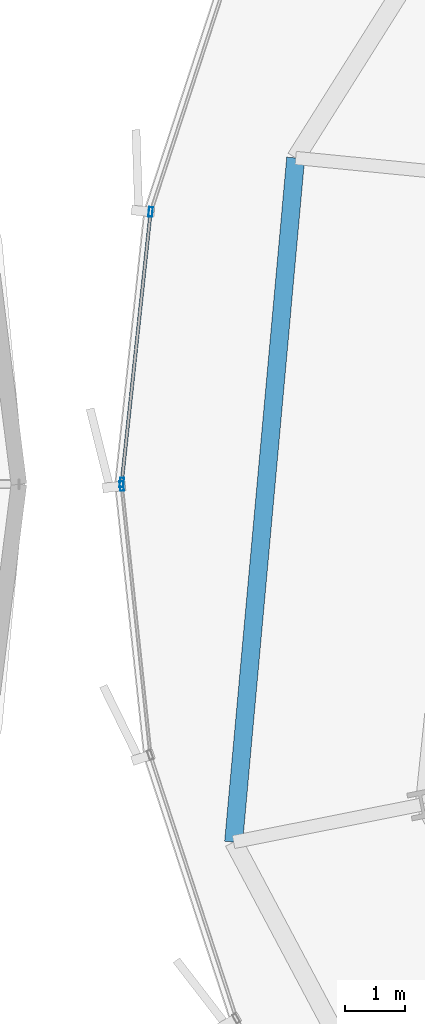
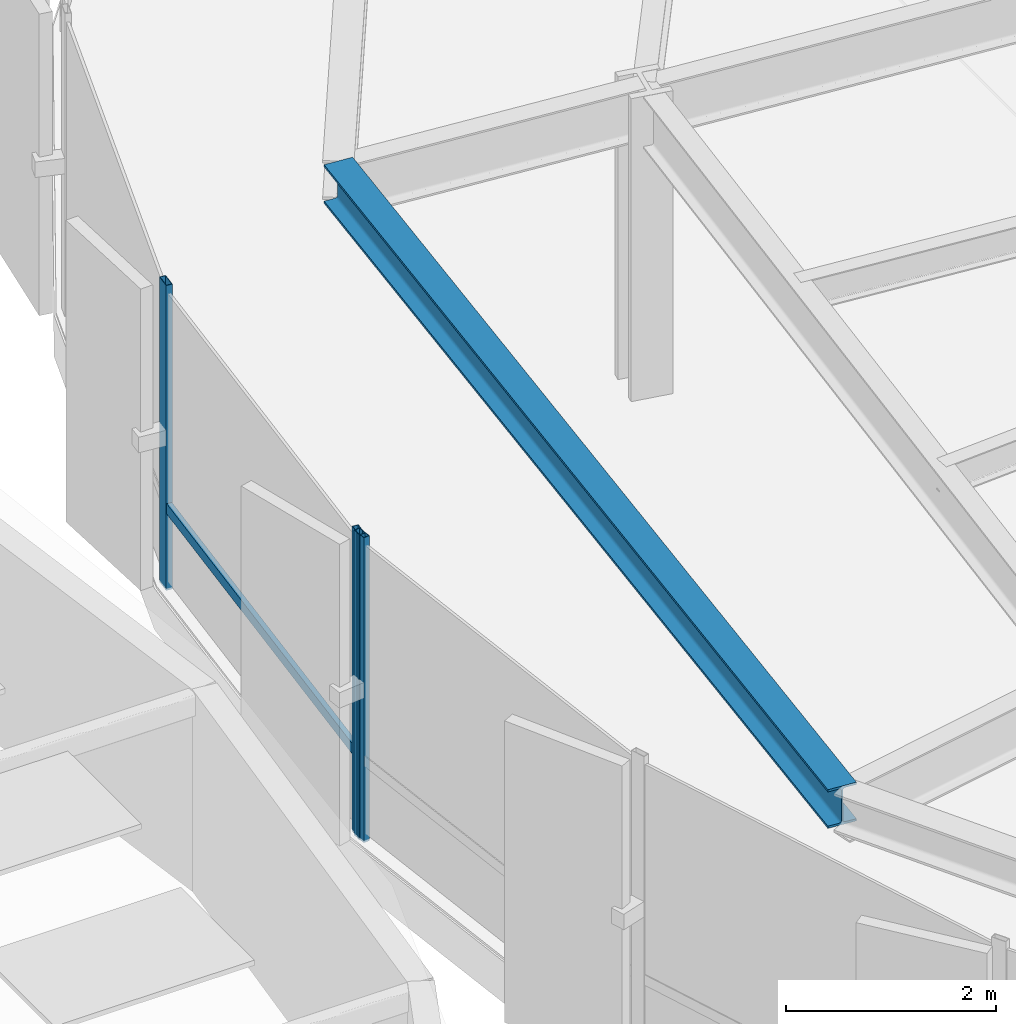
# One storey, part 7 of 38: 4 members, 1 beam, 2 elements without a shape of their own.
"""IFC4 building model written with IfcOpenShell, lengths in metres."""

from ifc_helpers import new_model, si_unit, direction, frame, origin, origin_2d, place, context, subcontext, project, spatial, hollow_rectangle, i_section, extrude, source, transform, mapped, material, layer, layer_set, material_profile, profile_set, type_object, element, aggregate, save


model = new_model("IFC4")

# Units and contexts
model_context = context("Model", 3, precision=1e-05, world=origin(), true_north=direction((0.0, 1.0)))
body_context = subcontext(model_context, "Body", "Model", "MODEL_VIEW")
ifc_project = project(units=[si_unit("LENGTHUNIT", "METRE"), si_unit("AREAUNIT", "SQUARE_METRE"), si_unit("VOLUMEUNIT", "CUBIC_METRE"), si_unit("PLANEANGLEUNIT", "RADIAN"), si_unit("MASSUNIT", "GRAM", prefix="KILO"), si_unit("THERMODYNAMICTEMPERATUREUNIT", "KELVIN")], contexts=[model_context])

# Site, building, storey
site_placement = place(None, origin())
site = spatial("IfcSite", under=ifc_project, at=site_placement, CompositionType="ELEMENT")
building_placement = place(site_placement, origin())
building = spatial("IfcBuilding", under=site, at=building_placement, Name="Kethvar Cultural Tower", CompositionType="ELEMENT")
storey_placement = place(building_placement, frame((0.0, 0.0, 29.60009765625)))
storey = spatial("IfcBuildingStorey", under=building, at=storey_placement, Name="L06", CompositionType="ELEMENT", Elevation=29.60009765625)

# Beam
ifc_material_1 = material(Name="Steel S355J2", Category="steel")
ifc_material_profile_1 = material_profile(ifc_material_1, i_section(OverallWidth=0.300048828125, OverallDepth=0.449951171875, WebThickness=0.013916015625, FlangeThickness=0.02587890625, FilletRadius=0.027099609375, at=origin_2d()), Name="Steel S355J2 — HEB450")
ifc_profile_set_1 = profile_set([ifc_material_profile_1], Name="Steel S355J2 — HEB450")
beam_type = type_object("IfcBeamType", Name="BM-SP450", PredefinedType="SPANDREL", material=ifc_profile_set_1)
shared_shape_1 = source(origin(), body_context, "Body", "SweptSolid", [
    extrude(i_section(OverallWidth=0.300048828125, OverallDepth=0.449951171875, WebThickness=0.013916015625, FlangeThickness=0.02587890625, FilletRadius=0.027099609375, at=origin_2d()), origin(), (0.0, 0.0, 1.0), 11.445556640625),
])
beam_placement = place(storey_placement, frame((17.862548828125, 33.23681640625, 3.322998046875), z_axis=(-0.090441506594, -0.995901769195, 0.0), x_axis=(0.995901769195, -0.090441506594, 0.0)))
element("IfcBeam", 1, at=beam_placement, inside=storey, type_object=beam_type, Name="L06 Perimeter Spandrel Beam SP-08", PredefinedType="SPANDREL", context=body_context, shape_type="MappedRepresentation", body=[
    mapped(shared_shape_1, transform((0.0, 0.0, 0.0), scale=1.0)),
])

# Curtain wall, members
ifc_material_2 = material(Name="Aluminium 6063-T6", Category="aluminium")
ifc_layer = layer(ifc_material_2, 0.179931640625, Name="Aluminium 6063-T6", Category="aluminium")
ifc_layer_set = layer_set([ifc_layer], Name="Aluminium 6063-T6 (180 mm)")
curtain_wall_type = type_object("IfcCurtainWallType", Name="CW-SYS-02-Z1", PredefinedType="NOTDEFINED", material=ifc_layer_set)
curtain_wall_1_placement = place(storey_placement, origin())
curtain_wall_1 = element("IfcCurtainWall", 2, at=curtain_wall_1_placement, inside=storey, type_object=curtain_wall_type, Name="L06 Curtain Wall Run 03", PredefinedType="NOTDEFINED")
ifc_material_profile_2 = material_profile(ifc_material_2, hollow_rectangle(XDim=0.06494140625, YDim=0.159912109375, WallThickness=0.0048828125, at=origin_2d()), Name="Aluminium 6063-T6 — RHS160x65x5")
ifc_profile_set_2 = profile_set([ifc_material_profile_2], Name="Aluminium 6063-T6 — RHS160x65x5")
member_type_1 = type_object("IfcMemberType", Name="CW-SYS-02-Z1-MUL", PredefinedType="MULLION", material=ifc_profile_set_2)
shared_shape_2 = source(origin(), body_context, "Body", "SweptSolid", [
    extrude(hollow_rectangle(XDim=0.06494140625, YDim=0.159912109375, WallThickness=0.0048828125, at=origin_2d()), origin(), (0.0, 0.0, 1.0), 3.5498046875),
])
member_1_placement = place(storey_placement, frame((15.44482421875, 32.3369140625, 0.0), z_axis=(0.0, 0.0, 1.0), x_axis=(0.994354623787, -0.106107879787, 0.0)))
member_1 = element("IfcMember", 3, at=member_1_placement, type_object=member_type_1, Name="CW-L06-R03 Mullion 6", PredefinedType="MULLION", context=body_context, shape_type="MappedRepresentation", body=[
    mapped(shared_shape_2, transform((0.0, 0.0, 0.0), scale=1.0)),
])
member_2_placement = place(storey_placement, frame((14.9638671875, 27.829345703125, 0.0), z_axis=(0.0, 0.0, 1.0), x_axis=(0.994354623787, -0.106107879787, 0.0)))
member_2 = element("IfcMember", 4, at=member_2_placement, type_object=member_type_1, Name="CW-L06-R03 Mullion 7", PredefinedType="MULLION", context=body_context, shape_type="MappedRepresentation", body=[
    mapped(shared_shape_2, transform((0.0, 0.0, 0.0), scale=1.0)),
])

# Curtain wall, member
curtain_wall_2_placement = place(storey_placement, origin())
curtain_wall_2 = element("IfcCurtainWall", 5, at=curtain_wall_2_placement, inside=storey, type_object=curtain_wall_type, Name="L06 Curtain Wall Run 04", PredefinedType="NOTDEFINED")
member_3_placement = place(storey_placement, frame((14.9638671875, 27.770751953125, 0.0), z_axis=(0.0, 0.0, 1.0), x_axis=(0.994354623787, 0.106107879787, 0.0)))
member_3 = element("IfcMember", 6, at=member_3_placement, type_object=member_type_1, Name="CW-L06-R04 Mullion 1", PredefinedType="MULLION", context=body_context, shape_type="MappedRepresentation", body=[
    mapped(shared_shape_2, transform((0.0, 0.0, 0.0), scale=1.0)),
])
aggregate(curtain_wall_2, [member_3])

# Member
ifc_material_profile_3 = material_profile(ifc_material_2, hollow_rectangle(XDim=0.054931640625, YDim=0.1201171875, WallThickness=0.00390625, at=origin_2d()), Name="Aluminium 6063-T6 — RHS120x55x4")
ifc_profile_set_3 = profile_set([ifc_material_profile_3], Name="Aluminium 6063-T6 — RHS120x55x4")
member_type_2 = type_object("IfcMemberType", Name="CW-SYS-02-Z1-TRN", PredefinedType="USERDEFINED", material=ifc_profile_set_3)
shared_shape_3 = source(origin(), body_context, "Body", "SweptSolid", [
    extrude(hollow_rectangle(XDim=0.054931640625, YDim=0.1201171875, WallThickness=0.00390625, at=origin_2d()), origin(), (0.0, 0.0, 1.0), 4.48193359375),
])
member_4_placement = place(storey_placement, frame((15.43994140625, 32.290283203125, 0.949951171875), z_axis=(-0.106113814693, -0.994353990454, 0.0), x_axis=(0.994353990454, -0.106113814693, 0.0)))
member_4 = element("IfcMember", 7, at=member_4_placement, type_object=member_type_2, Name="CW-L06-R03 Transom 6", ObjectType="TRANSOM", PredefinedType="USERDEFINED", context=body_context, shape_type="MappedRepresentation", body=[
    mapped(shared_shape_3, transform((0.0, 0.0, 0.0), scale=1.0)),
])

aggregate(curtain_wall_1, [member_1, member_2, member_4])

save(model, "model.ifc")
